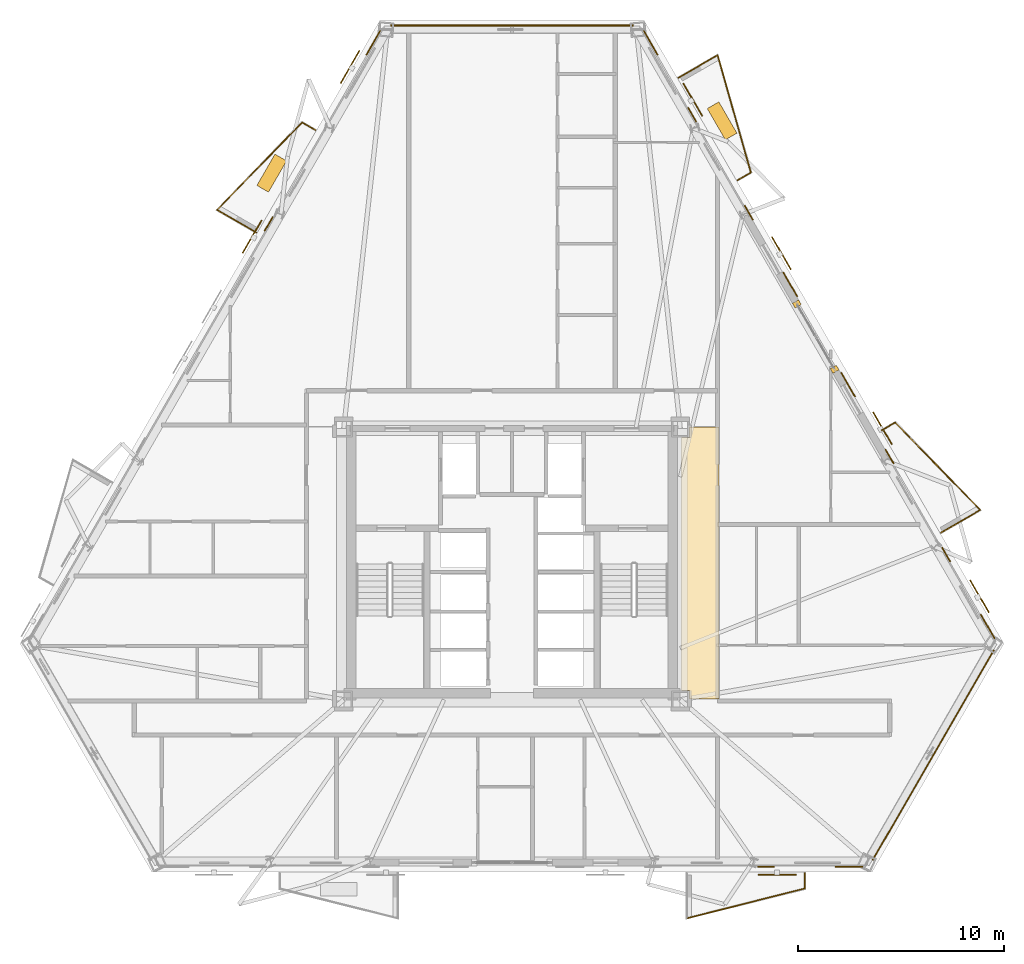
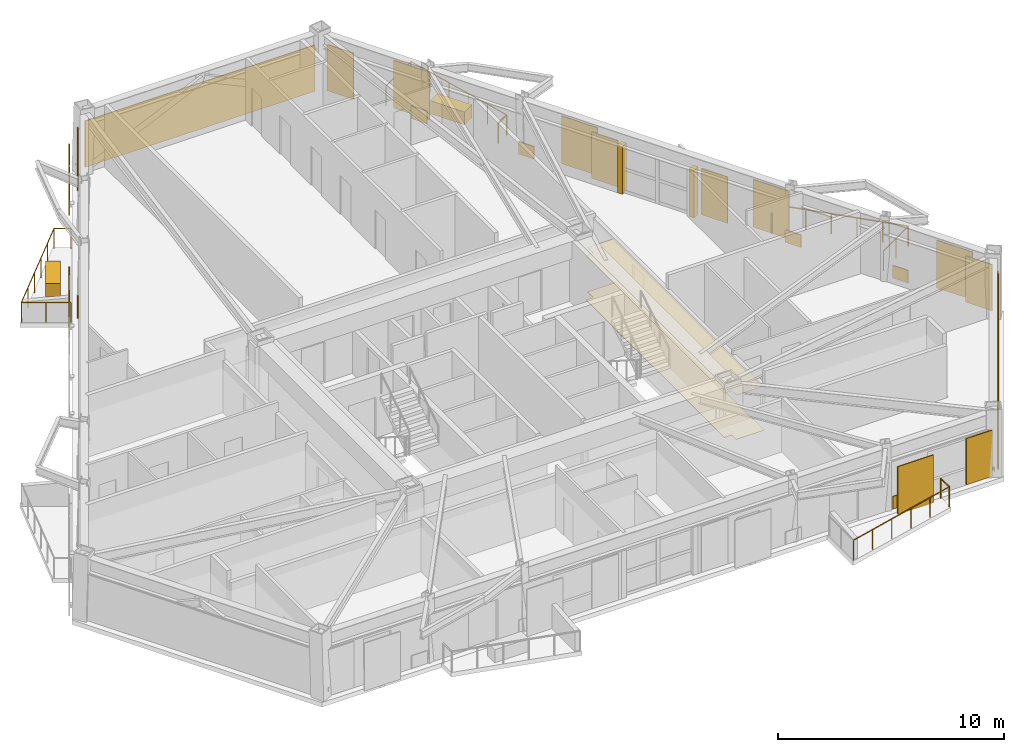
# One storey, part 15 of 15: 20 coverings, 11 railings, 7 shading devices.
"""IFC4 building model written with IfcOpenShell, lengths in metres."""

from ifc_helpers import new_model, si_unit, direction, frame, origin, origin_2d, place, context, subcontext, project, spatial, polyline, rectangle, circle, outline, extrude, material, layer, layer_set, type_object, element, save


model = new_model("IFC4")

# Units and contexts
model_context = context("Model", 3, precision=1e-05, world=origin(), true_north=direction((0.0, 1.0)))
body_context = subcontext(model_context, "Body", "Model", "MODEL_VIEW")
ifc_project = project(units=[si_unit("LENGTHUNIT", "METRE"), si_unit("AREAUNIT", "SQUARE_METRE"), si_unit("VOLUMEUNIT", "CUBIC_METRE"), si_unit("PLANEANGLEUNIT", "RADIAN"), si_unit("MASSUNIT", "GRAM", prefix="KILO")], contexts=[model_context])

# Site, building, storey
site_placement = place(None, origin())
site = spatial("IfcSite", under=ifc_project, at=site_placement, CompositionType="ELEMENT")
building_placement = place(site_placement, origin())
building = spatial("IfcBuilding", under=site, at=building_placement, Name="Oramaril Tower", CompositionType="ELEMENT")
storey_placement = place(building_placement, frame((0.0, 0.0, 93.300048828125)))
storey = spatial("IfcBuildingStorey", under=building, at=storey_placement, Name="L24", CompositionType="ELEMENT", Elevation=93.300048828125)

# Coverings
ifc_material_1 = material(Name="Mineral Fibre Acoustic Ceiling")
ifc_layer_1 = layer(ifc_material_1, 0.02001953125)
ifc_layer_set_1 = layer_set([ifc_layer_1], Name="CVT-CEIL")
covering_type_1 = type_object("IfcCoveringType", Name="CVT-CEIL", PredefinedType="CEILING", material=ifc_layer_set_1)
covering_1_placement = place(storey_placement, frame((0.0, 0.0, 2.39990234375)))
element("IfcCovering", 1, at=covering_1_placement, inside=storey, type_object=covering_type_1, Name="L24 Acoustic Suspended Ceiling 4", PredefinedType="CEILING", context=body_context, shape_type="SweptSolid", body=[
    extrude(outline(polyline([(47.530029296875, 11.050048828125), (46.094970703125, 11.050048828125), (46.094970703125, 11.445068359375), (45.719970703125, 11.445068359375), (45.719970703125, 23.705078125), (46.094970703125, 23.705078125), (46.094970703125, 24.219970703125), (47.530029296875, 24.219970703125), (47.530029296875, 11.050048828125)])), origin(), (0.0, 0.0, 1.0), 0.02001953125),
])
ifc_material_2 = material(Name="Warm Cream Limestone", Category="masonry")
ifc_layer_2 = layer(ifc_material_2, 0.050048828125)
ifc_layer_set_2 = layer_set([ifc_layer_2], Name="CVT-CLD")
covering_type_2 = type_object("IfcCoveringType", Name="CVT-CLD", PredefinedType="CLADDING", material=ifc_layer_set_2)
covering_2_placement = place(storey_placement, frame((53.828125, 2.9169921875, 0.0400390625), z_axis=(0.0, 0.0, 1.0), x_axis=(1.0, 0.0, 0.0)))
element("IfcCovering", 2, at=covering_2_placement, inside=storey, type_object=covering_type_2, Name="L24 Warm Cream Limestone Cladding", PredefinedType="CLADDING", context=body_context, shape_type="SweptSolid", body=[
    extrude(rectangle(XDim=1.35009765625, YDim=0.050048828125, at=origin_2d()), origin(), (0.0, 0.0, 1.0), 2.498046875),
])
covering_3_placement = place(storey_placement, frame((49.80517578125, 2.9169921875, 0.0400390625), z_axis=(0.0, 0.0, 1.0), x_axis=(1.0, 0.0, 0.0)))
element("IfcCovering", 3, at=covering_3_placement, inside=storey, type_object=covering_type_2, Name="L24 Warm Cream Limestone Spandrel Cladding", PredefinedType="CLADDING", context=body_context, shape_type="SweptSolid", body=[
    extrude(rectangle(XDim=0.800048828125, YDim=0.050048828125, at=origin_2d()), origin(), (0.0, 0.0, 1.0), 0.679931640625),
])
covering_4_placement = place(storey_placement, frame((57.90771484375, 8.317626953125, 0.0400390625), z_axis=(0.0, 0.0, 1.0), x_axis=(0.5, 0.866025403784, 0.0)))
element("IfcCovering", 4, at=covering_4_placement, inside=storey, type_object=covering_type_2, Name="L24 Warm Cream Limestone Cladding", PredefinedType="CLADDING", context=body_context, shape_type="SweptSolid", body=[
    extrude(rectangle(XDim=11.74951171875, YDim=0.050048828125, at=origin_2d()), origin(), (0.0, 0.0, 1.0), 2.498046875),
])
for number, where, z_axis, x_axis, name in (
    (5, (53.12890625, 27.010009765625, 0.0), (0.0, 0.0, 1.0), (-0.5, 0.866025403784, 0.0), "L24 Curtain Wall Limestone Jamb Closure"),
    (6, (51.298828125, 30.1796875, 0.0), (0.0, 0.0, 1.0), (-0.5, 0.866025403784, 0.0), "L24 Curtain Wall Limestone Jamb Closure"),
):
    element("IfcCovering", number, at=place(storey_placement, frame(where, z_axis=z_axis, x_axis=x_axis)), inside=storey, type_object=covering_type_2, Name=name, PredefinedType="CLADDING", context=body_context, shape_type="SweptSolid", body=[
        extrude(rectangle(XDim=0.260009765625, YDim=0.340087890625, at=origin_2d()), origin(), (0.0, 0.0, 1.0), 2.577880859375),
    ])
for number, where, z_axis, x_axis, name in (
    (7, (60.544921875, 14.55078125, 0.0400390625), (0.0, 0.0, 1.0), (-0.5, 0.866025403784, 0.0), "L24 Warm Cream Limestone Cladding"),
    (8, (53.781005859375, 26.2666015625, 0.0400390625), (0.0, 0.0, 1.0), (-0.5, 0.866025403784, 0.0), "L24 Warm Cream Limestone Cladding"),
):
    element("IfcCovering", number, at=place(storey_placement, frame(where, z_axis=z_axis, x_axis=x_axis)), inside=storey, type_object=covering_type_2, Name=name, PredefinedType="CLADDING", context=body_context, shape_type="SweptSolid", body=[
        extrude(rectangle(XDim=1.35009765625, YDim=0.050048828125, at=origin_2d()), origin(), (0.0, 0.0, 1.0), 2.498046875),
    ])
for number, where, z_axis, x_axis, name in (
    (9, (58.533447265625, 18.034912109375, 0.0400390625), (0.0, 0.0, 1.0), (-0.5, 0.866025403784, 0.0), "L24 Warm Cream Limestone Spandrel Cladding"),
    (10, (55.79248046875, 22.78271484375, 0.0400390625), (0.0, 0.0, 1.0), (-0.5, 0.866025403784, 0.0), "L24 Warm Cream Limestone Spandrel Cladding"),
):
    element("IfcCovering", number, at=place(storey_placement, frame(where, z_axis=z_axis, x_axis=x_axis)), inside=storey, type_object=covering_type_2, Name=name, PredefinedType="CLADDING", context=body_context, shape_type="SweptSolid", body=[
        extrude(rectangle(XDim=0.800048828125, YDim=0.050048828125, at=origin_2d()), origin(), (0.0, 0.0, 1.0), 0.679931640625),
    ])
for number, where, z_axis, x_axis, name in (
    (11, (50.98095703125, 31.1162109375, 0.0400390625), (0.0, 0.0, 1.0), (-0.5, 0.866025403784, 0.0), "L24 Warm Cream Limestone Cladding"),
    (12, (44.216796875, 42.83203125, 0.0400390625), (0.0, 0.0, 1.0), (-0.5, 0.866025403784, 0.0), "L24 Warm Cream Limestone Cladding"),
):
    element("IfcCovering", number, at=place(storey_placement, frame(where, z_axis=z_axis, x_axis=x_axis)), inside=storey, type_object=covering_type_2, Name=name, PredefinedType="CLADDING", context=body_context, shape_type="SweptSolid", body=[
        extrude(rectangle(XDim=1.35009765625, YDim=0.050048828125, at=origin_2d()), origin(), (0.0, 0.0, 1.0), 2.498046875),
    ])
for number, where, z_axis, x_axis, name in (
    (13, (48.969482421875, 34.600341796875, 0.0400390625), (0.0, 0.0, 1.0), (-0.5, 0.866025403784, 0.0), "L24 Warm Cream Limestone Spandrel Cladding"),
    (14, (46.228515625, 39.347900390625, 0.0400390625), (0.0, 0.0, 1.0), (-0.5, 0.866025403784, 0.0), "L24 Warm Cream Limestone Spandrel Cladding"),
):
    element("IfcCovering", number, at=place(storey_placement, frame(where, z_axis=z_axis, x_axis=x_axis)), inside=storey, type_object=covering_type_2, Name=name, PredefinedType="CLADDING", context=body_context, shape_type="SweptSolid", body=[
        extrude(rectangle(XDim=0.800048828125, YDim=0.050048828125, at=origin_2d()), origin(), (0.0, 0.0, 1.0), 0.679931640625),
    ])
covering_5_placement = place(storey_placement, frame((37.5, 43.664794921875, 0.0400390625), z_axis=(0.0, 0.0, 1.0), x_axis=(-1.0, 0.0, 0.0)))
element("IfcCovering", 15, at=covering_5_placement, inside=storey, type_object=covering_type_2, Name="L24 Warm Cream Limestone Cladding", PredefinedType="CLADDING", context=body_context, shape_type="SweptSolid", body=[
    extrude(rectangle(XDim=11.74951171875, YDim=0.050048828125, at=origin_2d()), origin(), (0.0, 0.0, 1.0), 2.498046875),
])
covering_6_placement = place(storey_placement, frame((30.783203125, 42.83203125, 0.0400390625), z_axis=(0.0, 0.0, 1.0), x_axis=(-0.5, -0.866025403784, 0.0)))
element("IfcCovering", 16, at=covering_6_placement, inside=storey, type_object=covering_type_2, Name="L24 Warm Cream Limestone Cladding", PredefinedType="CLADDING", context=body_context, shape_type="SweptSolid", body=[
    extrude(rectangle(XDim=1.35009765625, YDim=0.050048828125, at=origin_2d()), origin(), (0.0, 0.0, 1.0), 2.498046875),
])
covering_7_placement = place(storey_placement, frame((25.711181640625, 34.047119140625, 0.0400390625), z_axis=(0.0, 0.0, 1.0), x_axis=(-0.5, -0.866025403784, 0.0)))
element("IfcCovering", 17, at=covering_7_placement, inside=storey, type_object=covering_type_2, Name="L24 Warm Cream Limestone Spandrel Cladding", PredefinedType="CLADDING", context=body_context, shape_type="SweptSolid", body=[
    extrude(rectangle(XDim=0.800048828125, YDim=0.050048828125, at=origin_2d()), origin(), (0.0, 0.0, 1.0), 0.679931640625),
])
for number, where, z_axis, x_axis, name in (
    (18, (47.67724609375, 39.04541015625, 0.0), (0.0, 0.0, 1.0), (-0.5, 0.866025403784, 0.0), "L24 Structural Tree Planter Box L24-BAL-NE2"),
    (19, (25.860107421875, 36.512451171875, 0.0), (0.0, 0.0, 1.0), (-0.5, -0.866025403784, 0.0), "L24 Structural Tree Planter Box L24-BAL-NW1"),
):
    element("IfcCovering", number, at=place(storey_placement, frame(where, z_axis=z_axis, x_axis=x_axis)), inside=storey, type_object=covering_type_2, Name=name, PredefinedType="CLADDING", context=body_context, shape_type="SweptSolid", body=[
        extrude(rectangle(XDim=1.75, YDim=0.64990234375, at=origin_2d()), origin(), (0.0, 0.0, 1.0), 0.699951171875),
    ])
ifc_material_3 = material(Name="Honed Quartzite Stone Flooring", Category="masonry")
ifc_layer_3 = layer(ifc_material_3, 0.02490234375)
ifc_layer_set_3 = layer_set([ifc_layer_3], Name="CVT-FLR")
covering_type_3 = type_object("IfcCoveringType", Name="CVT-FLR", PredefinedType="FLOORING", material=ifc_layer_set_3)
covering_8_placement = place(storey_placement, origin())
element("IfcCovering", 20, at=covering_8_placement, inside=storey, type_object=covering_type_3, Name="L24 Honed Stone Floor Finish 4", PredefinedType="FLOORING", context=body_context, shape_type="SweptSolid", body=[
    extrude(outline(polyline([(47.530029296875, 11.050048828125), (46.094970703125, 11.050048828125), (46.094970703125, 11.445068359375), (45.719970703125, 11.445068359375), (45.719970703125, 23.705078125), (46.094970703125, 23.705078125), (46.094970703125, 24.219970703125), (47.530029296875, 24.219970703125), (47.530029296875, 11.050048828125)])), origin(), (0.0, 0.0, 1.0), 0.02490234375),
])

# Railings
ifc_material_4 = material(Name="Stainless Steel 316L", Category="steel")
railing_type = type_object("IfcRailingType", Name="RLT-GRD", PredefinedType="GUARDRAIL", material=ifc_material_4)
railing_1_placement = place(storey_placement, frame((51.68359375, 2.60205078125, 0.0)))
element("IfcRailing", 21, at=railing_1_placement, inside=storey, type_object=railing_type, Name="L24 Balcony Guardrail L24-BAL-S2.1", PredefinedType="GUARDRAIL", context=body_context, shape_type="SweptSolid", body=[
    extrude(circle(Radius=0.02392578125, at=origin_2d()), frame((0.0, 0.0, 1.076171875), z_axis=(0.0, -1.0, 0.0), x_axis=(1.0, 0.0, 0.0)), (0.0, 0.0, 1.0), 0.741943359375),
    extrude(circle(Radius=0.02099609375, at=origin_2d()), origin(), (0.0, 0.0, 1.0), 1.052001953125),
    extrude(circle(Radius=0.02099609375, at=origin_2d()), frame((0.0, -0.741943359375, 0.0)), (0.0, 0.0, 1.0), 1.052001953125),
])
railing_2_placement = place(storey_placement, frame((51.68359375, 1.860107421875, 0.0)))
element("IfcRailing", 22, at=railing_2_placement, inside=storey, type_object=railing_type, Name="L24 Balcony Guardrail L24-BAL-S2.2", PredefinedType="GUARDRAIL", context=body_context, shape_type="SweptSolid", body=[
    extrude(circle(Radius=0.02392578125, at=origin_2d()), frame((0.0, 0.0, 1.076171875), z_axis=(-0.969433787338, -0.245353076131, 0.0), x_axis=(0.245353076131, -0.969433787338, 0.0)), (0.0, 0.0, 1.0), 5.91064453125),
    extrude(circle(Radius=0.02099609375, at=origin_2d()), origin(), (0.0, 0.0, 1.0), 1.052001953125),
    extrude(circle(Radius=0.02099609375, at=origin_2d()), frame((-1.14599609375, -0.2900390625, 0.0)), (0.0, 0.0, 1.0), 1.052001953125),
    extrude(circle(Radius=0.02099609375, at=origin_2d()), frame((-2.2919921875, -0.580078125, 0.0)), (0.0, 0.0, 1.0), 1.052001953125),
    extrude(circle(Radius=0.02099609375, at=origin_2d()), frame((-3.43798828125, -0.8701171875, 0.0)), (0.0, 0.0, 1.0), 1.052001953125),
    extrude(circle(Radius=0.02099609375, at=origin_2d()), frame((-4.583984375, -1.16015625, 0.0)), (0.0, 0.0, 1.0), 1.052001953125),
    extrude(circle(Radius=0.02099609375, at=origin_2d()), frame((-5.72998046875, -1.4501953125, 0.0)), (0.0, 0.0, 1.0), 1.052001953125),
])
railing_3_placement = place(storey_placement, frame((55.418212890625, 24.06103515625, 0.0)))
element("IfcRailing", 23, at=railing_3_placement, inside=storey, type_object=railing_type, Name="L24 Balcony Guardrail L24-BAL-NE1.1", PredefinedType="GUARDRAIL", context=body_context, shape_type="SweptSolid", body=[
    extrude(circle(Radius=0.02392578125, at=origin_2d()), frame((0.0, 0.0, 1.076171875), z_axis=(0.866026623601, 0.49999788721, 0.0), x_axis=(-0.49999788721, 0.866026623601, 0.0)), (0.0, 0.0, 1.0), 0.74169921875),
    extrude(circle(Radius=0.02099609375, at=origin_2d()), origin(), (0.0, 0.0, 1.0), 1.052001953125),
    extrude(circle(Radius=0.02099609375, at=origin_2d()), frame((0.642333984375, 0.370849609375, 0.0)), (0.0, 0.0, 1.0), 1.052001953125),
])
railing_4_placement = place(storey_placement, frame((56.060546875, 24.431884765625, 0.0)))
element("IfcRailing", 24, at=railing_4_placement, inside=storey, type_object=railing_type, Name="L24 Balcony Guardrail L24-BAL-NE1.2", PredefinedType="GUARDRAIL", context=body_context, shape_type="SweptSolid", body=[
    extrude(circle(Radius=0.02392578125, at=origin_2d()), frame((0.0, 0.0, 1.076171875), z_axis=(0.697186915353, -0.716889395277, 0.0), x_axis=(0.716889395277, 0.697186915353, 0.0)), (0.0, 0.0, 1.0), 5.91064453125),
    extrude(circle(Radius=0.02099609375, at=origin_2d()), origin(), (0.0, 0.0, 1.0), 1.052001953125),
    extrude(circle(Radius=0.02099609375, at=origin_2d()), frame((0.82421875, -0.847412109375, 0.0)), (0.0, 0.0, 1.0), 1.052001953125),
    extrude(circle(Radius=0.02099609375, at=origin_2d()), frame((1.6484375, -1.69482421875, 0.0)), (0.0, 0.0, 1.0), 1.052001953125),
    extrude(circle(Radius=0.02099609375, at=origin_2d()), frame((2.472412109375, -2.54248046875, 0.0)), (0.0, 0.0, 1.0), 1.052001953125),
    extrude(circle(Radius=0.02099609375, at=origin_2d()), frame((3.296630859375, -3.389892578125, 0.0)), (0.0, 0.0, 1.0), 1.052001953125),
    extrude(circle(Radius=0.02099609375, at=origin_2d()), frame((4.120849609375, -4.2373046875, 0.0)), (0.0, 0.0, 1.0), 1.052001953125),
])
railing_5_placement = place(storey_placement, frame((60.181396484375, 20.194580078125, 0.0)))
element("IfcRailing", 25, at=railing_5_placement, inside=storey, type_object=railing_type, Name="L24 Balcony Guardrail L24-BAL-NE1.3", PredefinedType="GUARDRAIL", context=body_context, shape_type="SweptSolid", body=[
    extrude(circle(Radius=0.02392578125, at=origin_2d()), frame((0.0, 0.0, 1.076171875), z_axis=(-0.866020500697, -0.5000084923, 0.0), x_axis=(0.5000084923, -0.866020500697, 0.0)), (0.0, 0.0, 1.0), 2.19189453125),
    extrude(circle(Radius=0.02099609375, at=origin_2d()), origin(), (0.0, 0.0, 1.0), 1.052001953125),
    extrude(circle(Radius=0.02099609375, at=origin_2d()), frame((-0.94921875, -0.5478515625, 0.0)), (0.0, 0.0, 1.0), 1.052001953125),
    extrude(circle(Radius=0.02099609375, at=origin_2d()), frame((-1.898193359375, -1.095947265625, 0.0)), (0.0, 0.0, 1.0), 1.052001953125),
])
railing_6_placement = place(storey_placement, frame((45.56201171875, 41.13232421875, 0.0)))
element("IfcRailing", 26, at=railing_6_placement, inside=storey, type_object=railing_type, Name="L24 Balcony Guardrail L24-BAL-NE2.1", PredefinedType="GUARDRAIL", context=body_context, shape_type="SweptSolid", body=[
    extrude(circle(Radius=0.02392578125, at=origin_2d()), frame((0.0, 0.0, 1.076171875), z_axis=(0.865972267571, 0.50009202333, 0.0), x_axis=(-0.50009202333, 0.865972267571, 0.0)), (0.0, 0.0, 1.0), 2.19189453125),
    extrude(circle(Radius=0.02099609375, at=origin_2d()), origin(), (0.0, 0.0, 1.0), 1.052001953125),
    extrude(circle(Radius=0.02099609375, at=origin_2d()), frame((0.94921875, 0.548095703125, 0.0)), (0.0, 0.0, 1.0), 1.052001953125),
    extrude(circle(Radius=0.02099609375, at=origin_2d()), frame((1.898193359375, 1.09619140625, 0.0)), (0.0, 0.0, 1.0), 1.052001953125),
])
railing_7_placement = place(storey_placement, frame((47.460205078125, 42.228515625, 0.0)))
element("IfcRailing", 27, at=railing_7_placement, inside=storey, type_object=railing_type, Name="L24 Balcony Guardrail L24-BAL-NE2.2", PredefinedType="GUARDRAIL", context=body_context, shape_type="SweptSolid", body=[
    extrude(circle(Radius=0.02392578125, at=origin_2d()), frame((0.0, 0.0, 1.076171875), z_axis=(0.27224886544, -0.962226873074, 0.0), x_axis=(0.962226873074, 0.27224886544, 0.0)), (0.0, 0.0, 1.0), 5.910400390625),
    extrude(circle(Radius=0.02099609375, at=origin_2d()), origin(), (0.0, 0.0, 1.0), 1.052001953125),
    extrude(circle(Radius=0.02099609375, at=origin_2d()), frame((0.32177734375, -1.137451171875, 0.0)), (0.0, 0.0, 1.0), 1.052001953125),
    extrude(circle(Radius=0.02099609375, at=origin_2d()), frame((0.6435546875, -2.27490234375, 0.0)), (0.0, 0.0, 1.0), 1.052001953125),
    extrude(circle(Radius=0.02099609375, at=origin_2d()), frame((0.965576171875, -3.412353515625, 0.0)), (0.0, 0.0, 1.0), 1.052001953125),
    extrude(circle(Radius=0.02099609375, at=origin_2d()), frame((1.287353515625, -4.5498046875, 0.0)), (0.0, 0.0, 1.0), 1.052001953125),
    extrude(circle(Radius=0.02099609375, at=origin_2d()), frame((1.609130859375, -5.687255859375, 0.0)), (0.0, 0.0, 1.0), 1.052001953125),
])
railing_8_placement = place(storey_placement, frame((49.0693359375, 36.541259765625, 0.0)))
element("IfcRailing", 28, at=railing_8_placement, inside=storey, type_object=railing_type, Name="L24 Balcony Guardrail L24-BAL-NE2.3", PredefinedType="GUARDRAIL", context=body_context, shape_type="SweptSolid", body=[
    extrude(circle(Radius=0.02392578125, at=origin_2d()), frame((0.0, 0.0, 1.076171875), z_axis=(-0.865884080729, -0.500244698863, 0.0), x_axis=(0.500244698863, -0.865884080729, 0.0)), (0.0, 0.0, 1.0), 0.741943359375),
    extrude(circle(Radius=0.02099609375, at=origin_2d()), origin(), (0.0, 0.0, 1.0), 1.052001953125),
    extrude(circle(Radius=0.02099609375, at=origin_2d()), frame((-0.642333984375, -0.37109375, 0.0)), (0.0, 0.0, 1.0), 1.052001953125),
])
railing_9_placement = place(storey_placement, frame((25.110595703125, 33.636962890625, 0.0)))
element("IfcRailing", 29, at=railing_9_placement, inside=storey, type_object=railing_type, Name="L24 Balcony Guardrail L24-BAL-NW1.1", PredefinedType="GUARDRAIL", context=body_context, shape_type="SweptSolid", body=[
    extrude(circle(Radius=0.02392578125, at=origin_2d()), frame((0.0, 0.0, 1.076171875), z_axis=(-0.866020500697, 0.5000084923, 0.0), x_axis=(-0.5000084923, -0.866020500697, 0.0)), (0.0, 0.0, 1.0), 2.19189453125),
    extrude(circle(Radius=0.02099609375, at=origin_2d()), origin(), (0.0, 0.0, 1.0), 1.052001953125),
    extrude(circle(Radius=0.02099609375, at=origin_2d()), frame((-0.94921875, 0.5478515625, 0.0)), (0.0, 0.0, 1.0), 1.052001953125),
    extrude(circle(Radius=0.02099609375, at=origin_2d()), frame((-1.898193359375, 1.095947265625, 0.0)), (0.0, 0.0, 1.0), 1.052001953125),
])
railing_10_placement = place(storey_placement, frame((23.21240234375, 34.73291015625, 0.0)))
element("IfcRailing", 30, at=railing_10_placement, inside=storey, type_object=railing_type, Name="L24 Balcony Guardrail L24-BAL-NW1.2", PredefinedType="GUARDRAIL", context=body_context, shape_type="SweptSolid", body=[
    extrude(circle(Radius=0.02392578125, at=origin_2d()), frame((0.0, 0.0, 1.076171875), z_axis=(0.697165686546, 0.716910040034, 0.0), x_axis=(-0.716910040034, 0.697165686546, 0.0)), (0.0, 0.0, 1.0), 5.910400390625),
    extrude(circle(Radius=0.02099609375, at=origin_2d()), origin(), (0.0, 0.0, 1.0), 1.052001953125),
    extrude(circle(Radius=0.02099609375, at=origin_2d()), frame((0.82421875, 0.847412109375, 0.0)), (0.0, 0.0, 1.0), 1.052001953125),
    extrude(circle(Radius=0.02099609375, at=origin_2d()), frame((1.648193359375, 1.69482421875, 0.0)), (0.0, 0.0, 1.0), 1.052001953125),
    extrude(circle(Radius=0.02099609375, at=origin_2d()), frame((2.472412109375, 2.54248046875, 0.0)), (0.0, 0.0, 1.0), 1.052001953125),
    extrude(circle(Radius=0.02099609375, at=origin_2d()), frame((3.29638671875, 3.389892578125, 0.0)), (0.0, 0.0, 1.0), 1.052001953125),
    extrude(circle(Radius=0.02099609375, at=origin_2d()), frame((4.12060546875, 4.2373046875, 0.0)), (0.0, 0.0, 1.0), 1.052001953125),
])
railing_11_placement = place(storey_placement, frame((27.3330078125, 38.97021484375, 0.0)))
element("IfcRailing", 31, at=railing_11_placement, inside=storey, type_object=railing_type, Name="L24 Balcony Guardrail L24-BAL-NW1.3", PredefinedType="GUARDRAIL", context=body_context, shape_type="SweptSolid", body=[
    extrude(circle(Radius=0.02392578125, at=origin_2d()), frame((0.0, 0.0, 1.076171875), z_axis=(0.866108878364, -0.499855389907, 0.0), x_axis=(0.499855389907, 0.866108878364, 0.0)), (0.0, 0.0, 1.0), 0.741943359375),
    extrude(circle(Radius=0.02099609375, at=origin_2d()), origin(), (0.0, 0.0, 1.0), 1.052001953125),
    extrude(circle(Radius=0.02099609375, at=origin_2d()), frame((0.642578125, -0.370849609375, 0.0)), (0.0, 0.0, 1.0), 1.052001953125),
])

# Shading devices
for number, where, z_axis, x_axis, name in (
    (32, (50.345458984375, 2.530029296875, -0.02001953125), (0.0, 0.0, 1.0), (1.0, 0.0, 0.0), "L24 Perforated Ceramic Solar Screen"),
    (33, (60.146484375, 16.014892578125, -0.02001953125), (0.0, 0.0, 1.0), (-0.4999984885, 0.866026276448, 0.0), "L24 Perforated Ceramic Solar Screen"),
    (34, (55.448486328125, 24.15234375, -0.02001953125), (0.0, 0.0, 1.0), (-0.4999984885, 0.866026276448, 0.0), "L24 Perforated Ceramic Solar Screen"),
    (35, (50.5517578125, 32.6337890625, -0.02001953125), (0.0, 0.0, 1.0), (-0.5, 0.866025403784, 0.0), "L24 Perforated Ceramic Solar Screen"),
    (36, (46.2587890625, 40.0693359375, -0.02001953125), (0.0, 0.0, 1.0), (-0.5, 0.866025403784, 0.0), "L24 Perforated Ceramic Solar Screen"),
    (37, (29.65380859375, 41.64990234375, -0.02001953125), (0.0, 0.0, 1.0), (-0.5, -0.866025403784, 0.0), "L24 Perforated Ceramic Solar Screen"),
    (38, (24.910400390625, 33.43408203125, -0.02001953125), (0.0, 0.0, 1.0), (-0.5, -0.866025403784, 0.0), "L24 Perforated Ceramic Solar Screen"),
):
    element("IfcShadingDevice", number, at=place(storey_placement, frame(where, z_axis=z_axis, x_axis=x_axis)), inside=storey, Name=name, ObjectType="SCREEN", PredefinedType="USERDEFINED", context=body_context, shape_type="SweptSolid", body=[
        extrude(rectangle(XDim=1.8330078125, YDim=0.050048828125, at=origin_2d()), origin(), (0.0, 0.0, 1.0), 2.577880859375),
    ])

save(model, "model.ifc")
